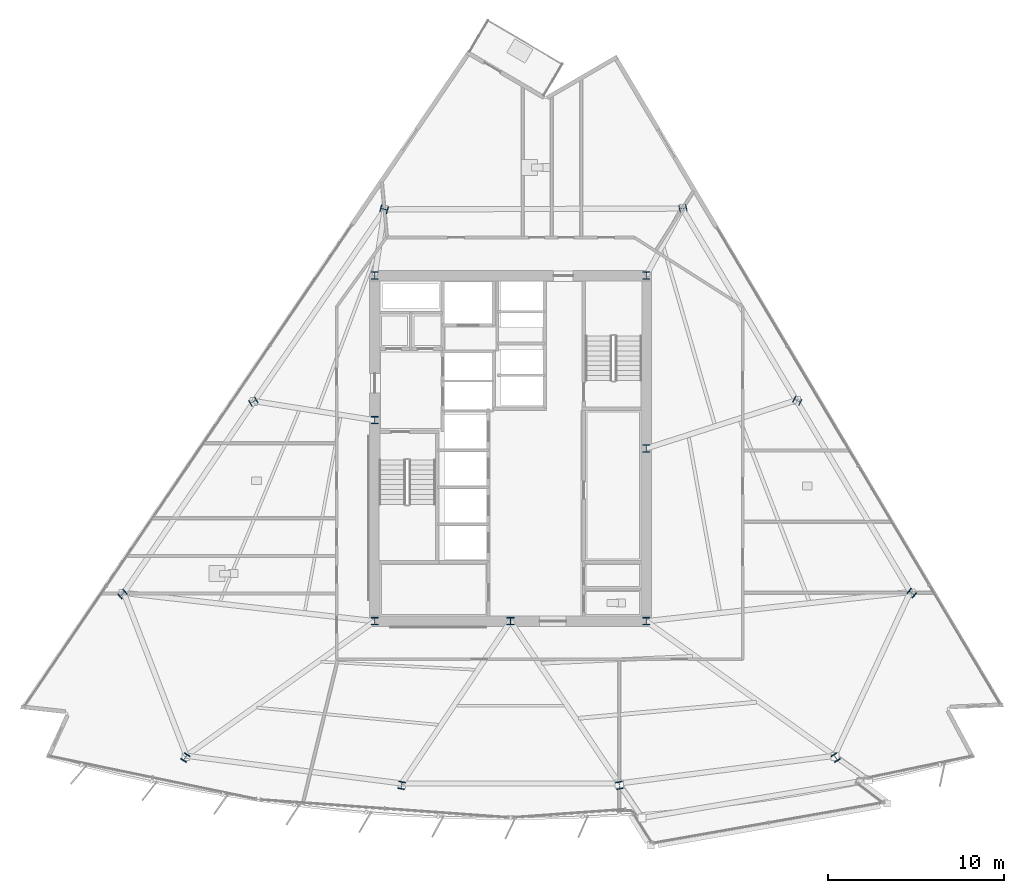
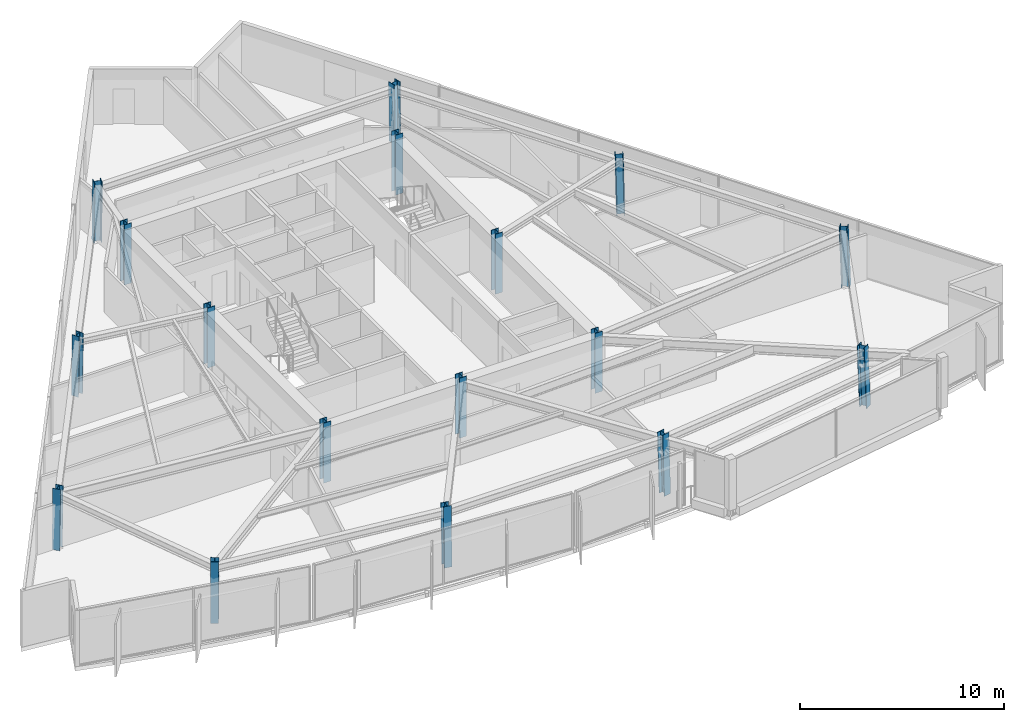
# One storey, part 1 of 15: 17 columns.
"""IFC4 building model written with IfcOpenShell, lengths in metres."""

from ifc_helpers import new_model, si_unit, direction, frame, origin, origin_2d, place, context, subcontext, project, spatial, i_section, extrude, material, material_profile, profile_set, type_object, element, save


model = new_model("IFC4")

# Units and contexts
model_context = context("Model", 3, precision=1e-05, world=origin(), true_north=direction((0.0, 1.0)))
body_context = subcontext(model_context, "Body", "Model", "MODEL_VIEW")
ifc_project = project(units=[si_unit("LENGTHUNIT", "METRE"), si_unit("AREAUNIT", "SQUARE_METRE"), si_unit("VOLUMEUNIT", "CUBIC_METRE"), si_unit("PLANEANGLEUNIT", "RADIAN"), si_unit("MASSUNIT", "GRAM", prefix="KILO")], contexts=[model_context])

# Site, building, storey
site_placement = place(None, origin())
site = spatial("IfcSite", under=ifc_project, at=site_placement, CompositionType="ELEMENT")
building_placement = place(site_placement, origin())
building = spatial("IfcBuilding", under=site, at=building_placement, Name="Savorim Split Tower", CompositionType="ELEMENT")
storey_placement = place(building_placement, frame((0.0, 0.0, 122.10009765625)))
storey = spatial("IfcBuildingStorey", under=building, at=storey_placement, Name="L32", CompositionType="ELEMENT", Elevation=122.10009765625)

# Columns
ifc_material = material(Name="Steel S460", Category="steel")
ifc_material_profile_1 = material_profile(ifc_material, i_section(OverallWidth=0.406005859375, OverallDepth=0.416015625, WebThickness=0.018798828125, FlangeThickness=0.031005859375, FilletRadius=0.014892578125, at=origin_2d()), Name="HD 400x382")
ifc_profile_set_1 = profile_set([ifc_material_profile_1], Name="Steel S460")
column_type_1 = type_object("IfcColumnType", Name="COL-HD-382", PredefinedType="COLUMN", material=ifc_profile_set_1)
column_1_placement = place(storey_placement, frame((-18.452880859375, -17.1533203125, 0.00537109375), z_axis=(0.020594893987, 0.033509183946, 0.999226193078), x_axis=(-0.851954850327, 0.523615252838, 0.0)))
element("IfcColumn", 1, at=column_1_placement, inside=storey, type_object=column_type_1, Name="L32 Tapered Perimeter Column PC-S1", PredefinedType="COLUMN", context=body_context, shape_type="SweptSolid", body=[
    extrude(i_section(OverallWidth=0.406005859375, OverallDepth=0.416015625, WebThickness=0.018798828125, FlangeThickness=0.031005859375, FilletRadius=0.014892578125, at=origin_2d()), origin(), (0.0, 0.0, 1.0), 3.591796875),
])
for number, where, z_axis, x_axis, name in (
    (2, (-6.1845703125, -18.728515625, 0.00537109375), (0.006865841702, 0.035280909339, 0.999353850072), (-0.981585848295, 0.191021523464, 0.0), "L32 Tapered Perimeter Column PC-S2"),
    (3, (6.1845703125, -18.728515625, 0.00537109375), (-0.006865841702, 0.035280909339, 0.999353850072), (-0.981585848295, -0.191021523464, 0.0), "L32 Tapered Perimeter Column PC-S3"),
):
    element("IfcColumn", number, at=place(storey_placement, frame(where, z_axis=z_axis, x_axis=x_axis)), inside=storey, type_object=column_type_1, Name=name, PredefinedType="COLUMN", context=body_context, shape_type="SweptSolid", body=[
        extrude(i_section(OverallWidth=0.406005859375, OverallDepth=0.416015625, WebThickness=0.018798828125, FlangeThickness=0.031005859375, FilletRadius=0.014892578125, at=origin_2d()), origin(), (0.0, 0.0, 1.0), 3.591552734375),
    ])
column_2_placement = place(storey_placement, frame((18.452880859375, -17.1533203125, 0.00537109375), z_axis=(-0.020594893987, 0.033509183946, 0.999226193078), x_axis=(-0.851954850327, -0.523615252838, 0.0)))
element("IfcColumn", 4, at=column_2_placement, inside=storey, type_object=column_type_1, Name="L32 Tapered Perimeter Column PC-S4", PredefinedType="COLUMN", context=body_context, shape_type="SweptSolid", body=[
    extrude(i_section(OverallWidth=0.406005859375, OverallDepth=0.416015625, WebThickness=0.018798828125, FlangeThickness=0.031005859375, FilletRadius=0.014892578125, at=origin_2d()), origin(), (0.0, 0.0, 1.0), 3.591796875),
])
column_3_placement = place(storey_placement, frame((22.769287109375, -7.821044921875, 0.00537109375), z_axis=(-0.026105663043, 0.021618752208, 0.999425396871), x_axis=(-0.637813971185, -0.770190455771, 0.0)))
element("IfcColumn", 5, at=column_3_placement, inside=storey, type_object=column_type_1, Name="L32 Tapered Perimeter Column PC-E1", PredefinedType="COLUMN", context=body_context, shape_type="SweptSolid", body=[
    extrude(i_section(OverallWidth=0.406005859375, OverallDepth=0.416015625, WebThickness=0.018798828125, FlangeThickness=0.031005859375, FilletRadius=0.014892578125, at=origin_2d()), origin(), (0.0, 0.0, 1.0), 3.591064453125),
])
column_4_placement = place(storey_placement, frame((16.27783203125, 3.095703125, 0.00537109375), z_axis=(-0.018906041, 0.009521027842, 0.999775930718), x_axis=(-0.449781931574, -0.893138406984, 0.0)))
element("IfcColumn", 6, at=column_4_placement, inside=storey, type_object=column_type_1, Name="L32 Tapered Perimeter Column PC-E2", PredefinedType="COLUMN", context=body_context, shape_type="SweptSolid", body=[
    extrude(i_section(OverallWidth=0.406005859375, OverallDepth=0.416015625, WebThickness=0.018798828125, FlangeThickness=0.031005859375, FilletRadius=0.014892578125, at=origin_2d()), origin(), (0.0, 0.0, 1.0), 3.58984375),
])
for number, where, z_axis, x_axis, name in (
    (7, (9.78662109375, 14.01220703125, 0.00537109375), (-0.011767054935, -0.002516653368, 0.999927598816), (0.209143047003, -0.977885057607, 0.0), "L32 Tapered Perimeter Column PC-E3"),
    (8, (-7.168212890625, 13.96337890625, 0.00537109375), (0.008774547672, -0.002516730728, 0.999958335822), (0.275705143097, 0.961242255662, 0.0), "L32 Tapered Perimeter Column PC-W1"),
):
    element("IfcColumn", number, at=place(storey_placement, frame(where, z_axis=z_axis, x_axis=x_axis)), inside=storey, type_object=column_type_1, Name=name, PredefinedType="COLUMN", context=body_context, shape_type="SweptSolid", body=[
        extrude(i_section(OverallWidth=0.406005859375, OverallDepth=0.416015625, WebThickness=0.018798828125, FlangeThickness=0.031005859375, FilletRadius=0.014892578125, at=origin_2d()), origin(), (0.0, 0.0, 1.0), 3.58935546875),
    ])
column_5_placement = place(storey_placement, frame((-14.5947265625, 3.046875, 0.00537109375), z_axis=(0.017070406608, 0.009521342331, 0.99980895438), x_axis=(-0.487119351792, 0.873335409284, 0.0)))
element("IfcColumn", 9, at=column_5_placement, inside=storey, type_object=column_type_1, Name="L32 Tapered Perimeter Column PC-W2", PredefinedType="COLUMN", context=body_context, shape_type="SweptSolid", body=[
    extrude(i_section(OverallWidth=0.406005859375, OverallDepth=0.416015625, WebThickness=0.018798828125, FlangeThickness=0.031005859375, FilletRadius=0.014892578125, at=origin_2d()), origin(), (0.0, 0.0, 1.0), 3.58984375),
])
column_6_placement = place(storey_placement, frame((-22.02099609375, -7.869873046875, 0.00537109375), z_axis=(0.025222449659, 0.021619242565, 0.999448065876), x_axis=(-0.650791373456, 0.759256602365, 0.0)))
element("IfcColumn", 10, at=column_6_placement, inside=storey, type_object=column_type_1, Name="L32 Tapered Perimeter Column PC-W3", PredefinedType="COLUMN", context=body_context, shape_type="SweptSolid", body=[
    extrude(i_section(OverallWidth=0.406005859375, OverallDepth=0.416015625, WebThickness=0.018798828125, FlangeThickness=0.031005859375, FilletRadius=0.014892578125, at=origin_2d()), origin(), (0.0, 0.0, 1.0), 3.591064453125),
])
ifc_material_profile_2 = material_profile(ifc_material, i_section(OverallWidth=0.408935546875, OverallDepth=0.425048828125, WebThickness=0.020751953125, FlangeThickness=0.033935546875, FilletRadius=0.014892578125, at=origin_2d()), Name="HD 400x421")
ifc_profile_set_2 = profile_set([ifc_material_profile_2], Name="Steel S460")
column_type_2 = type_object("IfcColumnType", Name="COL-HD-421", PredefinedType="COLUMN", material=ifc_profile_set_2)
for number, where, z_axis, x_axis, name in (
    (11, (-7.699951171875, -9.39990234375, 0.0), (0.0, 0.0, 1.0), (1.0, 0.0, 0.0), "L32 Core Structural Column TC-C1"),
    (12, (7.699951171875, -9.39990234375, 0.0), (0.0, 0.0, 1.0), (1.0, 0.0, 0.0), "L32 Core Structural Column TC-C2"),
    (13, (7.699951171875, 10.199951171875, 0.0), (0.0, 0.0, 1.0), (1.0, 0.0, 0.0), "L32 Core Structural Column TC-C3"),
    (14, (-7.699951171875, 10.199951171875, 0.0), (0.0, 0.0, 1.0), (1.0, 0.0, 0.0), "L32 Core Structural Column TC-C4"),
    (15, (0.0, -9.39990234375, 0.0), (0.0, 0.0, 1.0), (1.0, 0.0, 0.0), "L32 Core Structural Column TC-C5"),
    (16, (7.699951171875, 0.39990234375, 0.0), (0.0, 0.0, 1.0), (1.0, 0.0, 0.0), "L32 Core Structural Column TC-C6"),
    (17, (-7.699951171875, 2.0, 0.0), (0.0, 0.0, 1.0), (1.0, 0.0, 0.0), "L32 Core Structural Column TC-C7"),
):
    element("IfcColumn", number, at=place(storey_placement, frame(where, z_axis=z_axis, x_axis=x_axis)), inside=storey, type_object=column_type_2, Name=name, PredefinedType="COLUMN", context=body_context, shape_type="SweptSolid", body=[
        extrude(i_section(OverallWidth=0.408935546875, OverallDepth=0.425048828125, WebThickness=0.020751953125, FlangeThickness=0.033935546875, FilletRadius=0.014892578125, at=origin_2d()), origin(), (0.0, 0.0, 1.0), 3.599853515625),
    ])

save(model, "model.ifc")
